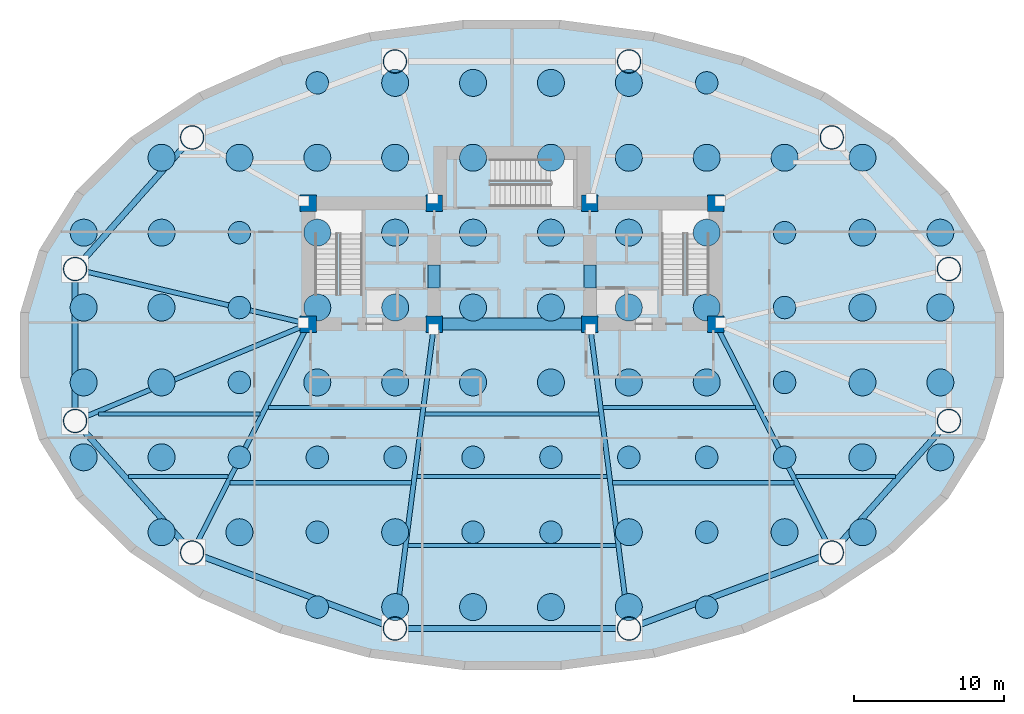
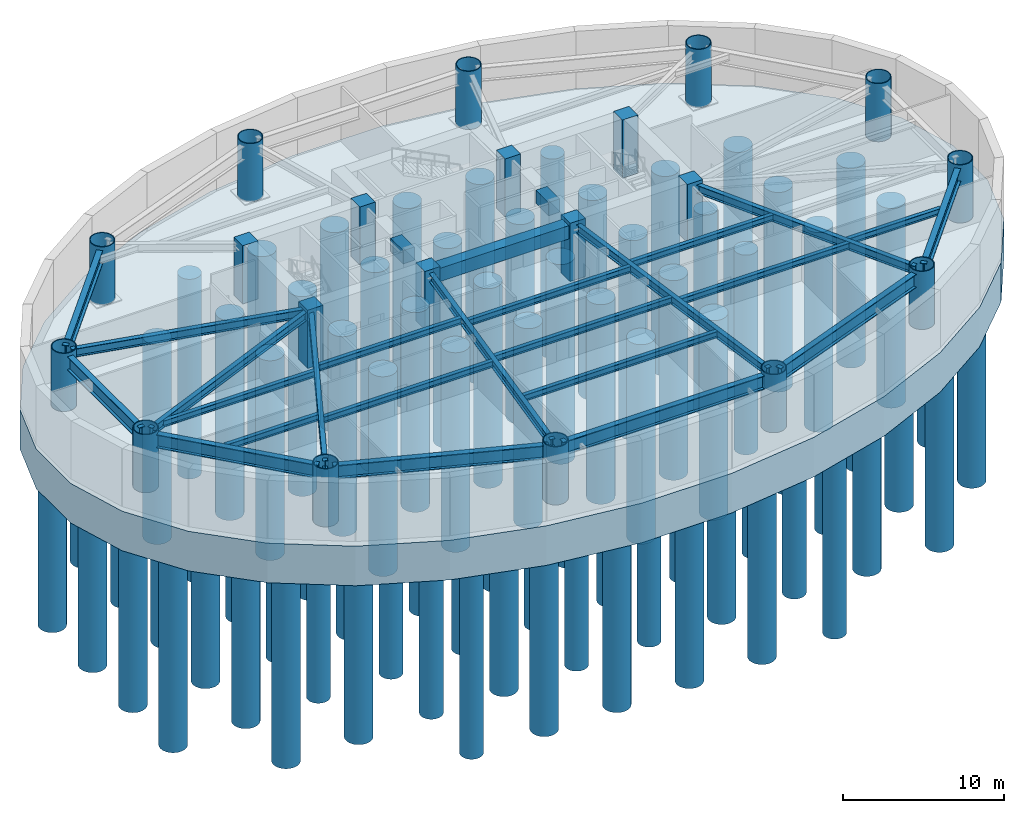
# One storey, part 1 of 7: 80 piles, 26 beams, 20 columns, 1 footing.
"""IFC4 building model written with IfcOpenShell, lengths in metres."""

from ifc_helpers import new_model, si_unit, direction, frame, origin, origin_2d, place, context, subcontext, project, spatial, polyline, rectangle, circle, hollow_circle, i_section, outline, extrude, material, material_profile, profile_set, type_object, element, save


model = new_model("IFC4")

# Units and contexts
model_context = context("Model", 3, precision=1e-05, world=origin(), true_north=direction((0.0, 1.0)))
body_context = subcontext(model_context, "Body", "Model", "MODEL_VIEW")
ifc_project = project(units=[si_unit("LENGTHUNIT", "METRE"), si_unit("AREAUNIT", "SQUARE_METRE"), si_unit("VOLUMEUNIT", "CUBIC_METRE"), si_unit("PLANEANGLEUNIT", "RADIAN"), si_unit("MASSUNIT", "GRAM", prefix="KILO")], contexts=[model_context])

# Site, building, storey
site_placement = place(None, origin())
site = spatial("IfcSite", under=ifc_project, at=site_placement, CompositionType="ELEMENT")
building_placement = place(site_placement, origin())
building = spatial("IfcBuilding", under=site, at=building_placement, Name="Keldmark Tower", CompositionType="ELEMENT")
storey_placement = place(building_placement, frame((0.0, 0.0, -8.800048828125)))
storey = spatial("IfcBuildingStorey", under=building, at=storey_placement, Name="B02", CompositionType="ELEMENT", Elevation=-8.800048828125)

# Footing
ifc_material_1 = material(Name="Concrete C50/60", Category="concrete")
footing_type = type_object("IfcFootingType", Name="Foundation Mat 3000 mm", PredefinedType="PILE_CAP", material=ifc_material_1)
footing_placement = place(storey_placement, frame((0.0, 0.0, -3.349853515625)))
element("IfcFooting", 1, at=footing_placement, inside=storey, type_object=footing_type, Name="B02 Unified Reinforced Concrete Mat Foundation", PredefinedType="PILE_CAP", context=body_context, shape_type="SweptSolid", body=[
    extrude(outline(polyline([(32.841064453125, 2.13671875), (31.5791015625, 6.328125), (29.103515625, 10.2763671875), (25.50927734375, 13.829833984375), (20.93505859375, 16.8515625), (15.55615234375, 19.225830078125), (9.579345703125, 20.861328125), (3.234619140625, 21.695068359375), (-3.234619140625, 21.695068359375), (-9.579345703125, 20.861328125), (-15.55615234375, 19.225830078125), (-20.93505859375, 16.8515625), (-25.50927734375, 13.829833984375), (-29.103515625, 10.2763671875), (-31.5791015625, 6.328125), (-32.841064453125, 2.13671875), (-32.841064453125, -2.13671875), (-31.5791015625, -6.328125), (-29.103515625, -10.2763671875), (-25.50927734375, -13.829833984375), (-20.93505859375, -16.8515625), (-15.55615234375, -19.225830078125), (-9.579345703125, -20.861328125), (-3.234619140625, -21.695068359375), (3.234619140625, -21.695068359375), (9.579345703125, -20.861328125), (15.55615234375, -19.225830078125), (20.93505859375, -16.8515625), (25.50927734375, -13.829833984375), (29.103515625, -10.2763671875), (31.5791015625, -6.328125), (32.841064453125, -2.13671875), (32.841064453125, 2.13671875)])), origin(), (0.0, 0.0, 1.0), 3.0),
])

# Piles
ifc_material_2 = material(Name="Concrete C50/60", Category="concrete")
ifc_material_profile_1 = material_profile(ifc_material_2, circle(Radius=0.75, at=origin_2d()), Name="CAISSON1500")
ifc_profile_set_1 = profile_set([ifc_material_profile_1], Name="Concrete C50/60")
pile_type_1 = type_object("IfcPileType", Name="Rock-Socketed Bored Caisson 1500 mm", PredefinedType="BORED", material=ifc_profile_set_1)
for number, where, z_axis, x_axis, name in (
    (2, (-13.0, -17.5, -3.224853515625), (0.0, 0.0, -1.0), (1.0, 0.0, 0.0), "Rock-socketed bored caisson 001"),
    (3, (13.0, -17.5, -3.224853515625), (0.0, 0.0, -1.0), (1.0, 0.0, 0.0), "Rock-socketed bored caisson 006"),
    (4, (-13.0, -12.5, -3.224853515625), (0.0, 0.0, -1.0), (1.0, 0.0, 0.0), "Rock-socketed bored caisson 009"),
    (5, (-2.60009765625, -12.5, -3.224853515625), (0.0, 0.0, -1.0), (1.0, 0.0, 0.0), "Rock-socketed bored caisson 011"),
    (6, (2.60009765625, -12.5, -3.224853515625), (0.0, 0.0, -1.0), (1.0, 0.0, 0.0), "Rock-socketed bored caisson 012"),
    (7, (13.0, -12.5, -3.224853515625), (0.0, 0.0, -1.0), (1.0, 0.0, 0.0), "Rock-socketed bored caisson 014"),
    (8, (-18.199951171875, -7.5, -3.224853515625), (0.0, 0.0, -1.0), (1.0, 0.0, 0.0), "Rock-socketed bored caisson 019"),
    (9, (-13.0, -7.5, -3.224853515625), (0.0, 0.0, -1.0), (1.0, 0.0, 0.0), "Rock-socketed bored caisson 020"),
    (10, (-7.800048828125, -7.5, -3.224853515625), (0.0, 0.0, -1.0), (1.0, 0.0, 0.0), "Rock-socketed bored caisson 021"),
    (11, (-2.60009765625, -7.5, -3.224853515625), (0.0, 0.0, -1.0), (1.0, 0.0, 0.0), "Rock-socketed bored caisson 022"),
    (12, (2.60009765625, -7.5, -3.224853515625), (0.0, 0.0, -1.0), (1.0, 0.0, 0.0), "Rock-socketed bored caisson 023"),
    (13, (7.800048828125, -7.5, -3.224853515625), (0.0, 0.0, -1.0), (1.0, 0.0, 0.0), "Rock-socketed bored caisson 024"),
    (14, (13.0, -7.5, -3.224853515625), (0.0, 0.0, -1.0), (1.0, 0.0, 0.0), "Rock-socketed bored caisson 025"),
    (15, (18.199951171875, -7.5, -3.224853515625), (0.0, 0.0, -1.0), (1.0, 0.0, 0.0), "Rock-socketed bored caisson 026"),
    (16, (-18.199951171875, -2.5, -3.224853515625), (0.0, 0.0, -1.0), (1.0, 0.0, 0.0), "Rock-socketed bored caisson 031"),
    (17, (18.199951171875, -2.5, -3.224853515625), (0.0, 0.0, -1.0), (1.0, 0.0, 0.0), "Rock-socketed bored caisson 038"),
    (18, (-18.199951171875, 2.5, -3.224853515625), (0.0, 0.0, -1.0), (1.0, 0.0, 0.0), "Rock-socketed bored caisson 043"),
    (19, (18.199951171875, 2.5, -3.224853515625), (0.0, 0.0, -1.0), (1.0, 0.0, 0.0), "Rock-socketed bored caisson 050"),
    (20, (-18.199951171875, 7.5, -3.224853515625), (0.0, 0.0, -1.0), (1.0, 0.0, 0.0), "Rock-socketed bored caisson 055"),
    (21, (18.199951171875, 7.5, -3.224853515625), (0.0, 0.0, -1.0), (1.0, 0.0, 0.0), "Rock-socketed bored caisson 062"),
    (22, (-13.0, 17.5, -3.224853515625), (0.0, 0.0, -1.0), (1.0, 0.0, 0.0), "Rock-socketed bored caisson 075"),
    (23, (13.0, 17.5, -3.224853515625), (0.0, 0.0, -1.0), (1.0, 0.0, 0.0), "Rock-socketed bored caisson 080"),
):
    element("IfcPile", number, at=place(storey_placement, frame(where, z_axis=z_axis, x_axis=x_axis)), inside=storey, type_object=pile_type_1, Name=name, PredefinedType="BORED", context=body_context, shape_type="SweptSolid", body=[
        extrude(circle(Radius=0.75, at=origin_2d()), origin(), (0.0, 0.0, 1.0), 15.125),
    ])
ifc_material_3 = material(Name="Concrete C50/60", Category="concrete")
ifc_material_profile_2 = material_profile(ifc_material_3, circle(Radius=0.89990234375, at=origin_2d()), Name="CAISSON1800")
ifc_profile_set_2 = profile_set([ifc_material_profile_2], Name="Concrete C50/60")
pile_type_2 = type_object("IfcPileType", Name="Rock-Socketed Bored Caisson 1800 mm", PredefinedType="BORED", material=ifc_profile_set_2)
for number, where, z_axis, x_axis, name in (
    (24, (-7.800048828125, -17.5, -3.224853515625), (0.0, 0.0, -1.0), (1.0, 0.0, 0.0), "Rock-socketed bored caisson 002"),
    (25, (-2.60009765625, -17.5, -3.224853515625), (0.0, 0.0, -1.0), (1.0, 0.0, 0.0), "Rock-socketed bored caisson 003"),
    (26, (2.60009765625, -17.5, -3.224853515625), (0.0, 0.0, -1.0), (1.0, 0.0, 0.0), "Rock-socketed bored caisson 004"),
    (27, (7.800048828125, -17.5, -3.224853515625), (0.0, 0.0, -1.0), (1.0, 0.0, 0.0), "Rock-socketed bored caisson 005"),
    (28, (-23.39990234375, -12.5, -3.224853515625), (0.0, 0.0, -1.0), (1.0, 0.0, 0.0), "Rock-socketed bored caisson 007"),
    (29, (-18.199951171875, -12.5, -3.224853515625), (0.0, 0.0, -1.0), (1.0, 0.0, 0.0), "Rock-socketed bored caisson 008"),
    (30, (-7.800048828125, -12.5, -3.224853515625), (0.0, 0.0, -1.0), (1.0, 0.0, 0.0), "Rock-socketed bored caisson 010"),
    (31, (7.800048828125, -12.5, -3.224853515625), (0.0, 0.0, -1.0), (1.0, 0.0, 0.0), "Rock-socketed bored caisson 013"),
    (32, (18.199951171875, -12.5, -3.224853515625), (0.0, 0.0, -1.0), (1.0, 0.0, 0.0), "Rock-socketed bored caisson 015"),
    (33, (23.39990234375, -12.5, -3.224853515625), (0.0, 0.0, -1.0), (1.0, 0.0, 0.0), "Rock-socketed bored caisson 016"),
    (34, (-28.60009765625, -7.5, -3.224853515625), (0.0, 0.0, -1.0), (1.0, 0.0, 0.0), "Rock-socketed bored caisson 017"),
    (35, (-23.39990234375, -7.5, -3.224853515625), (0.0, 0.0, -1.0), (1.0, 0.0, 0.0), "Rock-socketed bored caisson 018"),
    (36, (23.39990234375, -7.5, -3.224853515625), (0.0, 0.0, -1.0), (1.0, 0.0, 0.0), "Rock-socketed bored caisson 027"),
    (37, (28.60009765625, -7.5, -3.224853515625), (0.0, 0.0, -1.0), (1.0, 0.0, 0.0), "Rock-socketed bored caisson 028"),
    (38, (-28.60009765625, -2.5, -3.224853515625), (0.0, 0.0, -1.0), (1.0, 0.0, 0.0), "Rock-socketed bored caisson 029"),
    (39, (-23.39990234375, -2.5, -3.224853515625), (0.0, 0.0, -1.0), (1.0, 0.0, 0.0), "Rock-socketed bored caisson 030"),
    (40, (-13.0, -2.5, -3.224853515625), (0.0, 0.0, -1.0), (1.0, 0.0, 0.0), "Rock-socketed bored caisson 032"),
    (41, (-7.800048828125, -2.5, -3.224853515625), (0.0, 0.0, -1.0), (1.0, 0.0, 0.0), "Rock-socketed bored caisson 033"),
    (42, (-2.60009765625, -2.5, -3.224853515625), (0.0, 0.0, -1.0), (1.0, 0.0, 0.0), "Rock-socketed bored caisson 034"),
    (43, (2.60009765625, -2.5, -3.224853515625), (0.0, 0.0, -1.0), (1.0, 0.0, 0.0), "Rock-socketed bored caisson 035"),
    (44, (7.800048828125, -2.5, -3.224853515625), (0.0, 0.0, -1.0), (1.0, 0.0, 0.0), "Rock-socketed bored caisson 036"),
    (45, (13.0, -2.5, -3.224853515625), (0.0, 0.0, -1.0), (1.0, 0.0, 0.0), "Rock-socketed bored caisson 037"),
    (46, (23.39990234375, -2.5, -3.224853515625), (0.0, 0.0, -1.0), (1.0, 0.0, 0.0), "Rock-socketed bored caisson 039"),
    (47, (28.60009765625, -2.5, -3.224853515625), (0.0, 0.0, -1.0), (1.0, 0.0, 0.0), "Rock-socketed bored caisson 040"),
    (48, (-28.60009765625, 2.5, -3.224853515625), (0.0, 0.0, -1.0), (1.0, 0.0, 0.0), "Rock-socketed bored caisson 041"),
    (49, (-23.39990234375, 2.5, -3.224853515625), (0.0, 0.0, -1.0), (1.0, 0.0, 0.0), "Rock-socketed bored caisson 042"),
    (50, (-13.0, 2.5, -3.224853515625), (0.0, 0.0, -1.0), (1.0, 0.0, 0.0), "Rock-socketed bored caisson 044"),
    (51, (-7.800048828125, 2.5, -3.224853515625), (0.0, 0.0, -1.0), (1.0, 0.0, 0.0), "Rock-socketed bored caisson 045"),
    (52, (-2.60009765625, 2.5, -3.224853515625), (0.0, 0.0, -1.0), (1.0, 0.0, 0.0), "Rock-socketed bored caisson 046"),
    (53, (2.60009765625, 2.5, -3.224853515625), (0.0, 0.0, -1.0), (1.0, 0.0, 0.0), "Rock-socketed bored caisson 047"),
    (54, (7.800048828125, 2.5, -3.224853515625), (0.0, 0.0, -1.0), (1.0, 0.0, 0.0), "Rock-socketed bored caisson 048"),
    (55, (13.0, 2.5, -3.224853515625), (0.0, 0.0, -1.0), (1.0, 0.0, 0.0), "Rock-socketed bored caisson 049"),
    (56, (23.39990234375, 2.5, -3.224853515625), (0.0, 0.0, -1.0), (1.0, 0.0, 0.0), "Rock-socketed bored caisson 051"),
    (57, (28.60009765625, 2.5, -3.224853515625), (0.0, 0.0, -1.0), (1.0, 0.0, 0.0), "Rock-socketed bored caisson 052"),
    (58, (-28.60009765625, 7.5, -3.224853515625), (0.0, 0.0, -1.0), (1.0, 0.0, 0.0), "Rock-socketed bored caisson 053"),
    (59, (-23.39990234375, 7.5, -3.224853515625), (0.0, 0.0, -1.0), (1.0, 0.0, 0.0), "Rock-socketed bored caisson 054"),
    (60, (-13.0, 7.5, -3.224853515625), (0.0, 0.0, -1.0), (1.0, 0.0, 0.0), "Rock-socketed bored caisson 056"),
    (61, (-7.800048828125, 7.5, -3.224853515625), (0.0, 0.0, -1.0), (1.0, 0.0, 0.0), "Rock-socketed bored caisson 057"),
    (62, (-2.60009765625, 7.5, -3.224853515625), (0.0, 0.0, -1.0), (1.0, 0.0, 0.0), "Rock-socketed bored caisson 058"),
    (63, (2.60009765625, 7.5, -3.224853515625), (0.0, 0.0, -1.0), (1.0, 0.0, 0.0), "Rock-socketed bored caisson 059"),
    (64, (7.800048828125, 7.5, -3.224853515625), (0.0, 0.0, -1.0), (1.0, 0.0, 0.0), "Rock-socketed bored caisson 060"),
    (65, (13.0, 7.5, -3.224853515625), (0.0, 0.0, -1.0), (1.0, 0.0, 0.0), "Rock-socketed bored caisson 061"),
    (66, (23.39990234375, 7.5, -3.224853515625), (0.0, 0.0, -1.0), (1.0, 0.0, 0.0), "Rock-socketed bored caisson 063"),
    (67, (28.60009765625, 7.5, -3.224853515625), (0.0, 0.0, -1.0), (1.0, 0.0, 0.0), "Rock-socketed bored caisson 064"),
    (68, (-23.39990234375, 12.5, -3.224853515625), (0.0, 0.0, -1.0), (1.0, 0.0, 0.0), "Rock-socketed bored caisson 065"),
    (69, (-18.199951171875, 12.5, -3.224853515625), (0.0, 0.0, -1.0), (1.0, 0.0, 0.0), "Rock-socketed bored caisson 066"),
    (70, (-13.0, 12.5, -3.224853515625), (0.0, 0.0, -1.0), (1.0, 0.0, 0.0), "Rock-socketed bored caisson 067"),
    (71, (-7.800048828125, 12.5, -3.224853515625), (0.0, 0.0, -1.0), (1.0, 0.0, 0.0), "Rock-socketed bored caisson 068"),
    (72, (-2.60009765625, 12.5, -3.224853515625), (0.0, 0.0, -1.0), (1.0, 0.0, 0.0), "Rock-socketed bored caisson 069"),
    (73, (2.60009765625, 12.5, -3.224853515625), (0.0, 0.0, -1.0), (1.0, 0.0, 0.0), "Rock-socketed bored caisson 070"),
    (74, (7.800048828125, 12.5, -3.224853515625), (0.0, 0.0, -1.0), (1.0, 0.0, 0.0), "Rock-socketed bored caisson 071"),
    (75, (13.0, 12.5, -3.224853515625), (0.0, 0.0, -1.0), (1.0, 0.0, 0.0), "Rock-socketed bored caisson 072"),
    (76, (18.199951171875, 12.5, -3.224853515625), (0.0, 0.0, -1.0), (1.0, 0.0, 0.0), "Rock-socketed bored caisson 073"),
    (77, (23.39990234375, 12.5, -3.224853515625), (0.0, 0.0, -1.0), (1.0, 0.0, 0.0), "Rock-socketed bored caisson 074"),
    (78, (-7.800048828125, 17.5, -3.224853515625), (0.0, 0.0, -1.0), (1.0, 0.0, 0.0), "Rock-socketed bored caisson 076"),
    (79, (-2.60009765625, 17.5, -3.224853515625), (0.0, 0.0, -1.0), (1.0, 0.0, 0.0), "Rock-socketed bored caisson 077"),
    (80, (2.60009765625, 17.5, -3.224853515625), (0.0, 0.0, -1.0), (1.0, 0.0, 0.0), "Rock-socketed bored caisson 078"),
    (81, (7.800048828125, 17.5, -3.224853515625), (0.0, 0.0, -1.0), (1.0, 0.0, 0.0), "Rock-socketed bored caisson 079"),
):
    element("IfcPile", number, at=place(storey_placement, frame(where, z_axis=z_axis, x_axis=x_axis)), inside=storey, type_object=pile_type_2, Name=name, PredefinedType="BORED", context=body_context, shape_type="SweptSolid", body=[
        extrude(circle(Radius=0.89990234375, at=origin_2d()), origin(), (0.0, 0.0, 1.0), 15.125),
    ])

# Columns
ifc_material_4 = material(Name="Concrete C70/85", Category="concrete")
ifc_material_profile_3 = material_profile(ifc_material_4, rectangle(XDim=1.10009765625, YDim=1.10009765625, at=origin_2d()), Name="RC1100X1100")
ifc_profile_set_3 = profile_set([ifc_material_profile_3], Name="Concrete C70/85")
column_type_1 = type_object("IfcColumnType", Name="Core Boundary Column RC1100", PredefinedType="COLUMN", material=ifc_profile_set_3)
for number, where, z_axis, x_axis, name in (
    (82, (-13.60009765625, 1.39990234375, 0.0), (0.0, 0.0, 1.0), (1.0, 0.0, 0.0), "B02 Core Boundary Column CC-W1"),
    (83, (-13.60009765625, 9.449951171875, 0.0), (0.0, 0.0, 1.0), (1.0, 0.0, 0.0), "B02 Core Boundary Column CC-W2"),
    (84, (-5.199951171875, 1.39990234375, 0.0), (0.0, 0.0, 1.0), (1.0, 0.0, 0.0), "B02 Core Boundary Column CC-W3"),
    (85, (-5.199951171875, 9.449951171875, 0.0), (0.0, 0.0, 1.0), (1.0, 0.0, 0.0), "B02 Core Boundary Column CC-W4"),
    (86, (5.199951171875, 1.39990234375, 0.0), (0.0, 0.0, 1.0), (1.0, 0.0, 0.0), "B02 Core Boundary Column CC-E1"),
    (87, (5.199951171875, 9.449951171875, 0.0), (0.0, 0.0, 1.0), (1.0, 0.0, 0.0), "B02 Core Boundary Column CC-E2"),
    (88, (13.60009765625, 1.39990234375, 0.0), (0.0, 0.0, 1.0), (1.0, 0.0, 0.0), "B02 Core Boundary Column CC-E3"),
    (89, (13.60009765625, 9.449951171875, 0.0), (0.0, 0.0, 1.0), (1.0, 0.0, 0.0), "B02 Core Boundary Column CC-E4"),
):
    element("IfcColumn", number, at=place(storey_placement, frame(where, z_axis=z_axis, x_axis=x_axis)), inside=storey, type_object=column_type_1, Name=name, PredefinedType="COLUMN", context=body_context, shape_type="SweptSolid", body=[
        extrude(rectangle(XDim=1.10009765625, YDim=1.10009765625, at=origin_2d()), origin(), (0.0, 0.0, 1.0), 4.400146484375),
    ])
ifc_material_5 = material(Name="Steel ASTM A572 Grade 50", Category="steel")
ifc_material_profile_4 = material_profile(ifc_material_5, hollow_circle(Radius=0.800048828125, WallThickness=0.06005859375, at=origin_2d()), Name="CHS1600X60")
ifc_profile_set_4 = profile_set([ifc_material_profile_4], Name="Steel ASTM A572 Grade 50")
column_type_2 = type_object("IfcColumnType", Name="Pilotis Mega-Column Lower CHS1600", PredefinedType="USERDEFINED", material=ifc_profile_set_4)
for number, where, z_axis, x_axis, name in (
    (90, (29.1708984375, 5.072998046875, 0.0), (0.0, 0.0, 1.0), (1.0, 0.0, 0.0), "B02 Pilotis Mega-Column MC-01"),
    (91, (21.3544921875, 13.859375, 0.0), (0.0, 0.0, 1.0), (1.0, 0.0, 0.0), "B02 Pilotis Mega-Column MC-02"),
    (92, (7.81640625, 18.93212890625, 0.0), (0.0, 0.0, 1.0), (1.0, 0.0, 0.0), "B02 Pilotis Mega-Column MC-03"),
    (93, (-7.81640625, 18.93212890625, 0.0), (0.0, 0.0, 1.0), (1.0, 0.0, 0.0), "B02 Pilotis Mega-Column MC-04"),
    (94, (-21.3544921875, 13.859375, 0.0), (0.0, 0.0, 1.0), (1.0, 0.0, 0.0), "B02 Pilotis Mega-Column MC-05"),
    (95, (-29.1708984375, 5.072998046875, 0.0), (0.0, 0.0, 1.0), (1.0, 0.0, 0.0), "B02 Pilotis Mega-Column MC-06"),
    (96, (-29.1708984375, -5.072998046875, 0.0), (0.0, 0.0, 1.0), (1.0, 0.0, 0.0), "B02 Pilotis Mega-Column MC-07"),
    (97, (-21.3544921875, -13.859375, 0.0), (0.0, 0.0, 1.0), (1.0, 0.0, 0.0), "B02 Pilotis Mega-Column MC-08"),
    (98, (-7.81640625, -18.93212890625, 0.0), (0.0, 0.0, 1.0), (1.0, 0.0, 0.0), "B02 Pilotis Mega-Column MC-09"),
    (99, (7.81640625, -18.93212890625, 0.0), (0.0, 0.0, 1.0), (1.0, 0.0, 0.0), "B02 Pilotis Mega-Column MC-10"),
    (100, (21.3544921875, -13.859375, 0.0), (0.0, 0.0, 1.0), (1.0, 0.0, 0.0), "B02 Pilotis Mega-Column MC-11"),
    (101, (29.1708984375, -5.072998046875, 0.0), (0.0, 0.0, 1.0), (1.0, 0.0, 0.0), "B02 Pilotis Mega-Column MC-12"),
):
    element("IfcColumn", number, at=place(storey_placement, frame(where, z_axis=z_axis, x_axis=x_axis)), inside=storey, type_object=column_type_2, Name=name, ObjectType="MEGA COLUMN", PredefinedType="USERDEFINED", context=body_context, shape_type="SweptSolid", body=[
        extrude(hollow_circle(Radius=0.800048828125, WallThickness=0.06005859375, at=origin_2d()), origin(), (0.0, 0.0, 1.0), 4.400146484375),
    ])

# Beams
ifc_material_6 = material(Name="Steel ASTM A992 Grade 50", Category="steel")
ifc_material_profile_5 = material_profile(ifc_material_6, i_section(OverallWidth=0.280029296875, OverallDepth=0.462890625, WebThickness=0.0107421875, FlangeThickness=0.017333984375, at=origin_2d()), Name="W18X76")
ifc_profile_set_5 = profile_set([ifc_material_profile_5], Name="Steel ASTM A992 Grade 50")
beam_type_1 = type_object("IfcBeamType", Name="Composite Floor Joist W18X76", PredefinedType="JOIST", material=ifc_profile_set_5)
beam_1_placement = place(storey_placement, frame((-6.946044921875, -13.3798828125, 3.908447265625), z_axis=(1.0, 0.0, 0.0), x_axis=(0.0, 1.0, 0.0)))
element("IfcBeam", 102, at=beam_1_placement, inside=storey, type_object=beam_type_1, Name="B02 Composite Floor Joist J01", PredefinedType="JOIST", context=body_context, shape_type="SweptSolid", body=[
    extrude(i_section(OverallWidth=0.280029296875, OverallDepth=0.462890625, WebThickness=0.0107421875, FlangeThickness=0.017333984375, at=origin_2d()), origin(), (0.0, 0.0, 1.0), 13.89208984375),
])
beam_2_placement = place(storey_placement, frame((-25.614501953125, -8.780029296875, 3.908447265625), z_axis=(1.0, 0.0, 0.0), x_axis=(0.0, 1.0, 0.0)))
element("IfcBeam", 103, at=beam_2_placement, inside=storey, type_object=beam_type_1, Name="B02 Composite Floor Joist J02", PredefinedType="JOIST", context=body_context, shape_type="SweptSolid", body=[
    extrude(i_section(OverallWidth=0.280029296875, OverallDepth=0.462890625, WebThickness=0.0107421875, FlangeThickness=0.017333984375, at=origin_2d()), origin(), (0.0, 0.0, 1.0), 6.667236328125),
])
beam_3_placement = place(storey_placement, frame((-18.81298828125, -9.199951171875, 3.908447265625), z_axis=(1.0, 0.0, 0.0), x_axis=(0.0, 1.0, 0.0)))
element("IfcBeam", 104, at=beam_3_placement, inside=storey, type_object=beam_type_1, Name="B02 Composite Floor Joist J03", PredefinedType="JOIST", context=body_context, shape_type="SweptSolid", body=[
    extrude(i_section(OverallWidth=0.280029296875, OverallDepth=0.462890625, WebThickness=0.0107421875, FlangeThickness=0.017333984375, at=origin_2d()), origin(), (0.0, 0.0, 1.0), 12.09326171875),
])
beam_4_placement = place(storey_placement, frame((-6.354248046875, -8.780029296875, 3.908447265625), z_axis=(1.0, 0.0, 0.0), x_axis=(0.0, 1.0, 0.0)))
element("IfcBeam", 105, at=beam_4_placement, inside=storey, type_object=beam_type_1, Name="B02 Composite Floor Joist J04", PredefinedType="JOIST", context=body_context, shape_type="SweptSolid", body=[
    extrude(i_section(OverallWidth=0.280029296875, OverallDepth=0.462890625, WebThickness=0.0107421875, FlangeThickness=0.017333984375, at=origin_2d()), origin(), (0.0, 0.0, 1.0), 12.70849609375),
])
beam_5_placement = place(storey_placement, frame((6.7197265625, -9.199951171875, 3.908447265625), z_axis=(1.0, 0.0, 0.0), x_axis=(0.0, 1.0, 0.0)))
element("IfcBeam", 106, at=beam_5_placement, inside=storey, type_object=beam_type_1, Name="B02 Composite Floor Joist J05", PredefinedType="JOIST", context=body_context, shape_type="SweptSolid", body=[
    extrude(i_section(OverallWidth=0.280029296875, OverallDepth=0.462890625, WebThickness=0.0107421875, FlangeThickness=0.017333984375, at=origin_2d()), origin(), (0.0, 0.0, 1.0), 12.09326171875),
])
beam_6_placement = place(storey_placement, frame((18.947265625, -8.780029296875, 3.908447265625), z_axis=(1.0, 0.0, 0.0), x_axis=(0.0, 1.0, 0.0)))
element("IfcBeam", 107, at=beam_6_placement, inside=storey, type_object=beam_type_1, Name="B02 Composite Floor Joist J06", PredefinedType="JOIST", context=body_context, shape_type="SweptSolid", body=[
    extrude(i_section(OverallWidth=0.280029296875, OverallDepth=0.462890625, WebThickness=0.0107421875, FlangeThickness=0.017333984375, at=origin_2d()), origin(), (0.0, 0.0, 1.0), 6.667236328125),
])
beam_7_placement = place(storey_placement, frame((-27.622802734375, -4.60009765625, 3.908447265625), z_axis=(1.0, 0.0, 0.0), x_axis=(0.0, 1.0, 0.0)))
element("IfcBeam", 108, at=beam_7_placement, inside=storey, type_object=beam_type_1, Name="B02 Composite Floor Joist J07", PredefinedType="JOIST", context=body_context, shape_type="SweptSolid", body=[
    extrude(i_section(OverallWidth=0.280029296875, OverallDepth=0.462890625, WebThickness=0.0107421875, FlangeThickness=0.017333984375, at=origin_2d()), origin(), (0.0, 0.0, 1.0), 10.7998046875),
])
beam_8_placement = place(storey_placement, frame((-16.26171875, -4.179931640625, 3.908447265625), z_axis=(1.0, 0.0, 0.0), x_axis=(0.0, 1.0, 0.0)))
element("IfcBeam", 109, at=beam_8_placement, inside=storey, type_object=beam_type_1, Name="B02 Composite Floor Joist J08", PredefinedType="JOIST", context=body_context, shape_type="SweptSolid", body=[
    extrude(i_section(OverallWidth=0.280029296875, OverallDepth=0.462890625, WebThickness=0.0107421875, FlangeThickness=0.017333984375, at=origin_2d()), origin(), (0.0, 0.0, 1.0), 10.187744140625),
])
beam_9_placement = place(storey_placement, frame((-5.81640625, -4.60009765625, 3.908447265625), z_axis=(1.0, 0.0, 0.0), x_axis=(0.0, 1.0, 0.0)))
element("IfcBeam", 110, at=beam_9_placement, inside=storey, type_object=beam_type_1, Name="B02 Composite Floor Joist J09", PredefinedType="JOIST", context=body_context, shape_type="SweptSolid", body=[
    extrude(i_section(OverallWidth=0.280029296875, OverallDepth=0.462890625, WebThickness=0.0107421875, FlangeThickness=0.017333984375, at=origin_2d()), origin(), (0.0, 0.0, 1.0), 11.6328125),
])
beam_10_placement = place(storey_placement, frame((6.073974609375, -4.179931640625, 3.908447265625), z_axis=(1.0, 0.0, 0.0), x_axis=(0.0, 1.0, 0.0)))
element("IfcBeam", 111, at=beam_10_placement, inside=storey, type_object=beam_type_1, Name="B02 Composite Floor Joist J10", PredefinedType="JOIST", context=body_context, shape_type="SweptSolid", body=[
    extrude(i_section(OverallWidth=0.280029296875, OverallDepth=0.462890625, WebThickness=0.0107421875, FlangeThickness=0.017333984375, at=origin_2d()), origin(), (0.0, 0.0, 1.0), 10.187744140625),
])
ifc_material_7 = material(Name="Concrete C70/85", Category="concrete")
ifc_material_profile_6 = material_profile(ifc_material_7, rectangle(XDim=0.800048828125, YDim=1.0, at=origin_2d()), Name="RCB800X1000")
ifc_profile_set_6 = profile_set([ifc_material_profile_6], Name="Concrete C70/85")
beam_type_2 = type_object("IfcBeamType", Name="Core Coupling Beam RCB800X1000", PredefinedType="USERDEFINED", material=ifc_profile_set_6)
for number, where, z_axis, x_axis, name in (
    (112, (-5.199951171875, 3.800048828125, 3.64013671875), (0.0, 1.0, 0.0), (-1.0, 0.0, 0.0), "B02 West Core Coupling Beam"),
    (113, (5.199951171875, 3.800048828125, 3.64013671875), (0.0, 1.0, 0.0), (-1.0, 0.0, 0.0), "B02 East Core Coupling Beam"),
):
    element("IfcBeam", number, at=place(storey_placement, frame(where, z_axis=z_axis, x_axis=x_axis)), inside=storey, type_object=beam_type_2, Name=name, ObjectType="COUPLING BEAM", PredefinedType="USERDEFINED", context=body_context, shape_type="SweptSolid", body=[
        extrude(rectangle(XDim=0.800048828125, YDim=1.0, at=origin_2d()), origin(), (0.0, 0.0, 1.0), 1.550048828125),
    ])
beam_11_placement = place(storey_placement, frame((-5.199951171875, 1.39990234375, 3.64013671875), z_axis=(1.0, 0.0, 0.0), x_axis=(0.0, 1.0, 0.0)))
element("IfcBeam", 114, at=beam_11_placement, inside=storey, type_object=beam_type_2, Name="B02 Central South Core Coupling Beam", ObjectType="COUPLING BEAM", PredefinedType="USERDEFINED", context=body_context, shape_type="SweptSolid", body=[
    extrude(rectangle(XDim=0.800048828125, YDim=1.0, at=origin_2d()), origin(), (0.0, 0.0, 1.0), 10.39990234375),
])
ifc_material_8 = material(Name="Steel ASTM A992 Grade 50", Category="steel")
ifc_material_profile_7 = material_profile(ifc_material_8, i_section(OverallWidth=0.402099609375, OverallDepth=1.011962890625, WebThickness=0.023681640625, FlangeThickness=0.0419921875, at=origin_2d()), Name="W40X297")
ifc_profile_set_7 = profile_set([ifc_material_profile_7], Name="Steel ASTM A992 Grade 50")
beam_type_3 = type_object("IfcBeamType", Name="Podium Primary Girder W40X297", PredefinedType="BEAM", material=ifc_profile_set_7)
beam_12_placement = place(storey_placement, frame((-21.65380859375, 13.523193359375, 3.634033203125), z_axis=(-0.66464984112, -0.747154996436, 0.0), x_axis=(0.747154996436, -0.66464984112, 0.0)))
element("IfcBeam", 115, at=beam_12_placement, inside=storey, type_object=beam_type_3, Name="B02 Podium Ring Girder PG-R05", PredefinedType="BEAM", context=body_context, shape_type="SweptSolid", body=[
    extrude(i_section(OverallWidth=0.402099609375, OverallDepth=1.011962890625, WebThickness=0.023681640625, FlangeThickness=0.0419921875, at=origin_2d()), origin(), (0.0, 0.0, 1.0), 10.85986328125),
])
beam_13_placement = place(storey_placement, frame((-29.1708984375, 4.622802734375, 3.634033203125), z_axis=(0.0, -1.0, 0.0), x_axis=(1.0, 0.0, 0.0)))
element("IfcBeam", 116, at=beam_13_placement, inside=storey, type_object=beam_type_3, Name="B02 Podium Ring Girder PG-R06", PredefinedType="BEAM", context=body_context, shape_type="SweptSolid", body=[
    extrude(i_section(OverallWidth=0.402099609375, OverallDepth=1.011962890625, WebThickness=0.023681640625, FlangeThickness=0.0419921875, at=origin_2d()), origin(), (0.0, 0.0, 1.0), 9.24560546875),
])
beam_14_placement = place(storey_placement, frame((-28.871826171875, -5.4091796875, 3.634033203125), z_axis=(0.66464984112, -0.747154996436, 0.0), x_axis=(0.747154996436, 0.66464984112, 0.0)))
element("IfcBeam", 117, at=beam_14_placement, inside=storey, type_object=beam_type_3, Name="B02 Podium Ring Girder PG-R07", PredefinedType="BEAM", context=body_context, shape_type="SweptSolid", body=[
    extrude(i_section(OverallWidth=0.402099609375, OverallDepth=1.011962890625, WebThickness=0.023681640625, FlangeThickness=0.0419921875, at=origin_2d()), origin(), (0.0, 0.0, 1.0), 10.85986328125),
])
beam_15_placement = place(storey_placement, frame((-20.93310546875, -14.01708984375, 3.634033203125), z_axis=(0.936417954382, -0.350886612329, 0.0), x_axis=(0.350886612329, 0.936417954382, 0.0)))
element("IfcBeam", 118, at=beam_15_placement, inside=storey, type_object=beam_type_3, Name="B02 Podium Ring Girder PG-R08", PredefinedType="BEAM", context=body_context, shape_type="SweptSolid", body=[
    extrude(i_section(OverallWidth=0.402099609375, OverallDepth=1.011962890625, WebThickness=0.023681640625, FlangeThickness=0.0419921875, at=origin_2d()), origin(), (0.0, 0.0, 1.0), 13.557373046875),
])
beam_16_placement = place(storey_placement, frame((-7.3662109375, -18.93212890625, 3.634033203125), z_axis=(1.0, 0.0, 0.0), x_axis=(0.0, 1.0, 0.0)))
element("IfcBeam", 119, at=beam_16_placement, inside=storey, type_object=beam_type_3, Name="B02 Podium Ring Girder PG-R09", PredefinedType="BEAM", context=body_context, shape_type="SweptSolid", body=[
    extrude(i_section(OverallWidth=0.402099609375, OverallDepth=1.011962890625, WebThickness=0.023681640625, FlangeThickness=0.0419921875, at=origin_2d()), origin(), (0.0, 0.0, 1.0), 14.732421875),
])
beam_17_placement = place(storey_placement, frame((8.23779296875, -18.774169921875, 3.634033203125), z_axis=(0.936417954382, 0.350886612329, 0.0), x_axis=(-0.350886612329, 0.936417954382, 0.0)))
element("IfcBeam", 120, at=beam_17_placement, inside=storey, type_object=beam_type_3, Name="B02 Podium Ring Girder PG-R10", PredefinedType="BEAM", context=body_context, shape_type="SweptSolid", body=[
    extrude(i_section(OverallWidth=0.402099609375, OverallDepth=1.011962890625, WebThickness=0.023681640625, FlangeThickness=0.0419921875, at=origin_2d()), origin(), (0.0, 0.0, 1.0), 13.557373046875),
])
beam_18_placement = place(storey_placement, frame((21.65380859375, -13.523193359375, 3.634033203125), z_axis=(0.66464984112, 0.747154996436, 0.0), x_axis=(-0.747154996436, 0.66464984112, 0.0)))
element("IfcBeam", 121, at=beam_18_placement, inside=storey, type_object=beam_type_3, Name="B02 Podium Ring Girder PG-R11", PredefinedType="BEAM", context=body_context, shape_type="SweptSolid", body=[
    extrude(i_section(OverallWidth=0.402099609375, OverallDepth=1.011962890625, WebThickness=0.023681640625, FlangeThickness=0.0419921875, at=origin_2d()), origin(), (0.0, 0.0, 1.0), 10.85986328125),
])
ifc_material_9 = material(Name="Steel ASTM A992 Grade 50", Category="steel")
ifc_material_profile_8 = material_profile(ifc_material_9, i_section(OverallWidth=0.326904296875, OverallDepth=0.6220703125, WebThickness=0.015380859375, FlangeThickness=0.0244140625, at=origin_2d()), Name="W24X131")
ifc_profile_set_8 = profile_set([ifc_material_profile_8], Name="Steel ASTM A992 Grade 50")
beam_type_4 = type_object("IfcBeamType", Name="Spandrel Ring Beam W24X131", PredefinedType="SPANDREL", material=ifc_profile_set_8)
beam_19_placement = place(storey_placement, frame((-28.73291015625, 4.969482421875, 3.8291015625), z_axis=(0.973292516513, -0.229568458854, 0.0), x_axis=(0.229568458854, 0.973292516513, 0.0)))
element("IfcBeam", 122, at=beam_19_placement, inside=storey, type_object=beam_type_4, Name="B02 Podium Radial Girder PG-C06", PredefinedType="SPANDREL", context=body_context, shape_type="SweptSolid", body=[
    extrude(i_section(OverallWidth=0.326904296875, OverallDepth=0.6220703125, WebThickness=0.015380859375, FlangeThickness=0.0244140625, at=origin_2d()), origin(), (0.0, 0.0, 1.0), 15.1982421875),
])
beam_20_placement = place(storey_placement, frame((-28.755615234375, -4.900146484375, 3.8291015625), z_axis=(0.923395872542, 0.383849010123, 0.0), x_axis=(-0.383849010123, 0.923395872542, 0.0)))
element("IfcBeam", 123, at=beam_20_placement, inside=storey, type_object=beam_type_4, Name="B02 Podium Radial Girder PG-C07", PredefinedType="SPANDREL", context=body_context, shape_type="SweptSolid", body=[
    extrude(i_section(OverallWidth=0.326904296875, OverallDepth=0.6220703125, WebThickness=0.015380859375, FlangeThickness=0.0244140625, at=origin_2d()), origin(), (0.0, 0.0, 1.0), 16.06298828125),
])
beam_21_placement = place(storey_placement, frame((-21.150634765625, -13.4580078125, 3.8291015625), z_axis=(0.45304555932, 0.891487364566, 0.0), x_axis=(-0.891487364566, 0.45304555932, 0.0)))
element("IfcBeam", 124, at=beam_21_placement, inside=storey, type_object=beam_type_4, Name="B02 Podium Radial Girder PG-C08", PredefinedType="SPANDREL", context=body_context, shape_type="SweptSolid", body=[
    extrude(i_section(OverallWidth=0.326904296875, OverallDepth=0.6220703125, WebThickness=0.015380859375, FlangeThickness=0.0244140625, at=origin_2d()), origin(), (0.0, 0.0, 1.0), 16.31640625),
])
for number, where, z_axis, x_axis, name in (
    (125, (-7.7587890625, -18.48583984375, 3.8291015625), (0.127622930912, 0.991822760127, 0.0), (-0.991822760127, 0.127622930912, 0.0), "B02 Podium Radial Girder PG-C09"),
    (126, (7.7587890625, -18.48583984375, 3.8291015625), (-0.127622930912, 0.991822760127, 0.0), (-0.991822760127, -0.127622930912, 0.0), "B02 Podium Radial Girder PG-C10"),
):
    element("IfcBeam", number, at=place(storey_placement, frame(where, z_axis=z_axis, x_axis=x_axis)), inside=storey, type_object=beam_type_4, Name=name, PredefinedType="SPANDREL", context=body_context, shape_type="SweptSolid", body=[
        extrude(i_section(OverallWidth=0.326904296875, OverallDepth=0.6220703125, WebThickness=0.015380859375, FlangeThickness=0.0244140625, at=origin_2d()), origin(), (0.0, 0.0, 1.0), 19.699951171875),
    ])
beam_22_placement = place(storey_placement, frame((21.150634765625, -13.4580078125, 3.8291015625), z_axis=(-0.45304555932, 0.891487364566, 0.0), x_axis=(-0.891487364566, -0.45304555932, 0.0)))
element("IfcBeam", 127, at=beam_22_placement, inside=storey, type_object=beam_type_4, Name="B02 Podium Radial Girder PG-C11", PredefinedType="SPANDREL", context=body_context, shape_type="SweptSolid", body=[
    extrude(i_section(OverallWidth=0.326904296875, OverallDepth=0.6220703125, WebThickness=0.015380859375, FlangeThickness=0.0244140625, at=origin_2d()), origin(), (0.0, 0.0, 1.0), 16.31640625),
])

save(model, "model.ifc")
